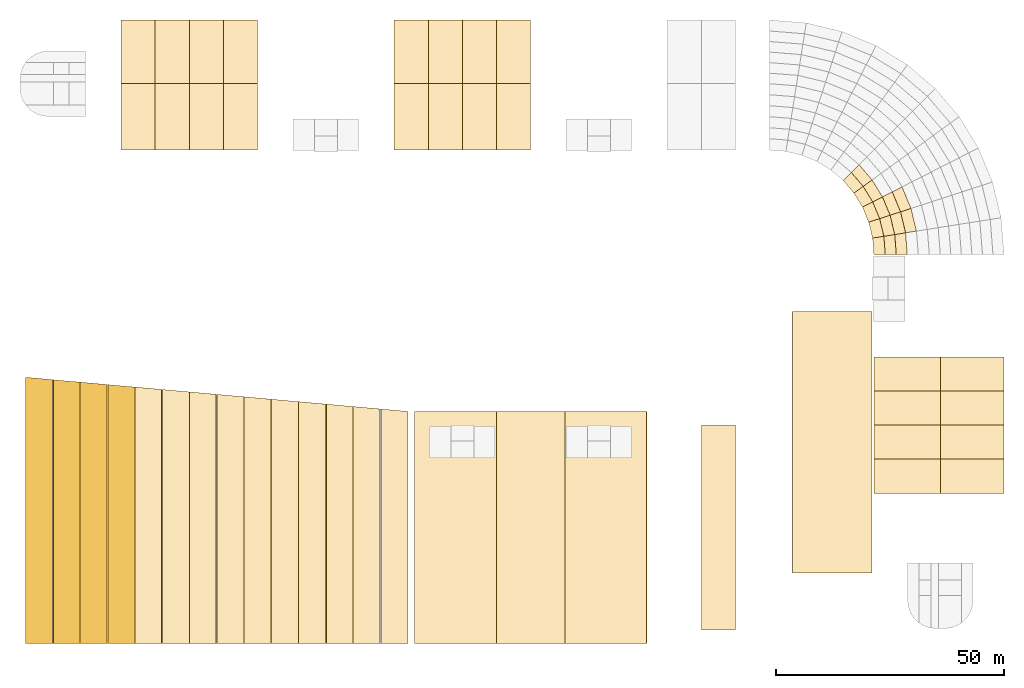
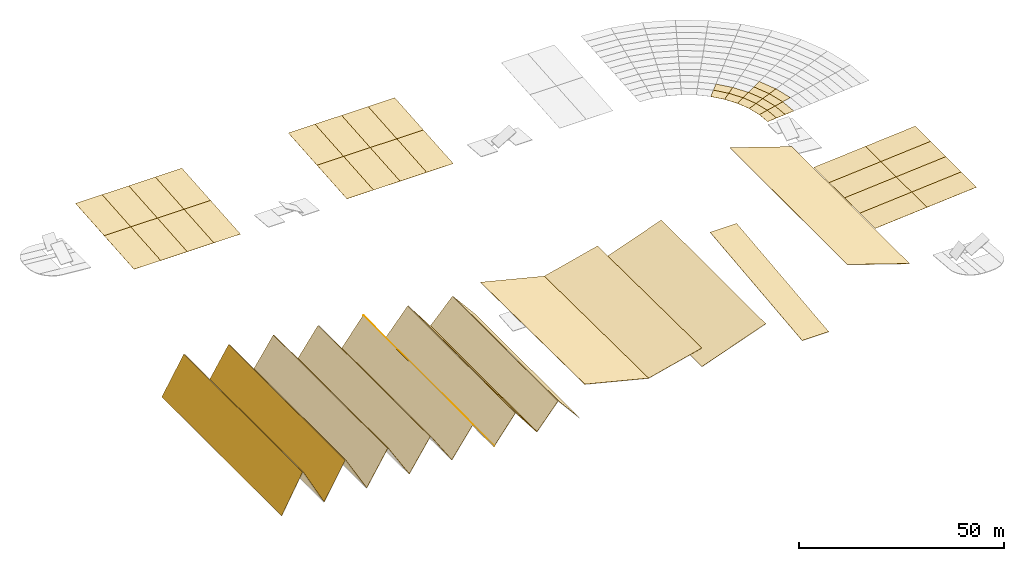
# One storey, part 3 of 6: 58 coverings.
"""IFC4 building model written with IfcOpenShell, lengths in metres."""

import ifcopenshell
import ifcopenshell.guid

model = None  # the IFC model being written
_history = None  # IfcOwnerHistory: only IFC2X3 demands one
_inside = {}  # id of a spatial element -> (the spatial element, [elements in it])
_under = {}  # id of a project, library or spatial element -> (it, [spatial elements below it])
_declared = {}  # id of a project -> (the project, [libraries it declares])
_typed = {}  # id of a type object -> (the type object, [elements of that type])
_made_of = {}  # id of a material, layer set ... -> (it, [elements and type objects made of it])


def new_model(schema):
    """Start an empty IFC model of exactly this schema.

    Asked for "IFC4X3", IfcOpenShell would pick the latest addendum, in which some entities
    have other attributes; the version numbers below select the first issue.
    IFC2X3 requires an IfcOwnerHistory on every rooted entity: one is made here for all.
    """
    global model, _history
    if schema == "IFC4X3":
        model = ifcopenshell.file(schema_version=(4, 3, 0, 0))
    else:
        model = ifcopenshell.file(schema=schema)
    _inside.clear()
    _under.clear()
    _declared.clear()
    _typed.clear()
    _made_of.clear()
    _history = None
    if model.schema == "IFC2X3":
        org = make("IfcOrganization", Name="unknown")
        user = make(
            "IfcPersonAndOrganization",
            ThePerson=make("IfcPerson", FamilyName="unknown"),
            TheOrganization=org,
        )
        app = make(
            "IfcApplication",
            ApplicationDeveloper=org,
            Version="unknown",
            ApplicationFullName="unknown",
            ApplicationIdentifier="unknown",
        )
        _history = make(
            "IfcOwnerHistory",
            OwningUser=user,
            OwningApplication=app,
            ChangeAction="ADDED",
            CreationDate=0,
        )
    return model


def make(cls, **values):
    """One entity of the class cls with the attributes given. An attribute that is None is left unset."""
    return model.create_entity(
        cls, **{name: value for name, value in values.items() if value is not None}
    )


def rooted(cls, **values):
    """An entity with a GlobalId (a new one), such as an element, a storey or a relation."""
    return make(cls, GlobalId=ifcopenshell.guid.new(), OwnerHistory=_history, **values)


def si_unit(unit_type, name, prefix=None):
    """IfcSIUnit, for example si_unit("LENGTHUNIT", "METRE", prefix="MILLI")."""
    return make("IfcSIUnit", UnitType=unit_type, Prefix=prefix, Name=name)


def assignment(units):
    """IfcUnitAssignment: the units of a project."""
    return None if units is None else make("IfcUnitAssignment", Units=units)


def point(xyz):
    """IfcCartesianPoint."""
    return None if xyz is None else make("IfcCartesianPoint", Coordinates=xyz)


def direction(xyz):
    """IfcDirection."""
    return None if xyz is None else make("IfcDirection", DirectionRatios=xyz)


def frame(location, z_axis=None, x_axis=None):
    """IfcAxis2Placement3D, a coordinate frame: its origin and axes. An axis left out is left unset."""
    return make(
        "IfcAxis2Placement3D",
        Location=point(location),
        Axis=direction(z_axis),
        RefDirection=direction(x_axis),
    )


def origin():
    """The frame at (0, 0, 0) with its axes left unset."""
    return frame((0.0, 0.0, 0.0))


def place(relative_to, where):
    """IfcLocalPlacement: puts the frame where relative to a parent placement (None: the world)."""
    return make(
        "IfcLocalPlacement", PlacementRelTo=relative_to, RelativePlacement=where
    )


def context(
    kind, dimensions, precision=None, world=None, true_north=None, identifier=None
):
    """IfcGeometricRepresentationContext, for example the 3D "Model" context."""
    return make(
        "IfcGeometricRepresentationContext",
        ContextIdentifier=identifier,
        ContextType=kind,
        CoordinateSpaceDimension=dimensions,
        Precision=precision,
        WorldCoordinateSystem=world,
        TrueNorth=true_north,
    )


def subcontext(parent, identifier, kind, view, scale=None):
    """IfcGeometricRepresentationSubContext, for example "Body" below "Model"."""
    return make(
        "IfcGeometricRepresentationSubContext",
        ContextIdentifier=identifier,
        ContextType=kind,
        ParentContext=parent,
        TargetScale=scale,
        TargetView=view,
    )


def project(units=None, contexts=None):
    """IfcProject with its units and contexts."""
    return rooted(
        "IfcProject",
        Name="project",
        RepresentationContexts=contexts,
        UnitsInContext=assignment(units),
    )


def spatial(cls, under=None, at=None, **own):
    """A site, building, storey or space (cls), placed at a placement, below another one or the project."""
    s = rooted(cls, ObjectPlacement=at, **own)
    if under is not None:
        _under.setdefault(under.id(), (under, []))[1].append(s)
    return s


def polyline(points):
    """IfcPolyline through the points."""
    return make("IfcPolyline", Points=[point(p) for p in points])


def outline(outer, holes=None, kind="AREA"):
    """IfcArbitraryClosedProfileDef: a profile drawn as a closed curve; with holes, ...WithVoids."""
    if holes is None:
        return make("IfcArbitraryClosedProfileDef", ProfileType=kind, OuterCurve=outer)
    return make(
        "IfcArbitraryProfileDefWithVoids",
        ProfileType=kind,
        OuterCurve=outer,
        InnerCurves=holes,
    )


def extrude(swept, where, along, depth):
    """IfcExtrudedAreaSolid: the profile swept, set in the frame where, extruded along a direction by depth."""
    return make(
        "IfcExtrudedAreaSolid",
        SweptArea=swept,
        Position=where,
        ExtrudedDirection=direction(along),
        Depth=depth,
    )


def shape(context_of_items, identifier, shape_type, items):
    """IfcShapeRepresentation: the items that make up one representation, for example the "Body"."""
    return make(
        "IfcShapeRepresentation",
        ContextOfItems=context_of_items,
        RepresentationIdentifier=identifier,
        RepresentationType=shape_type,
        Items=items,
    )


def material(Name=None, Category=None):
    """IfcMaterial."""
    return make("IfcMaterial", Name=Name, Category=Category)


def layer(
    of_material, thickness, ventilated=None, Name=None, Category=None, Priority=None
):
    """IfcMaterialLayer: one layer of a wall or slab, of a material (None: an air gap)."""
    return make(
        "IfcMaterialLayer",
        Material=of_material,
        LayerThickness=thickness,
        IsVentilated=ventilated,
        Name=Name,
        Category=Category,
        Priority=Priority,
    )


def layer_set(layers, Name=None):
    """IfcMaterialLayerSet."""
    return make("IfcMaterialLayerSet", MaterialLayers=layers, LayerSetName=Name)


def made_of(thing, what):
    """Note that an element or type object is made of a material, layer set ...; save() writes the relation."""
    if what is not None:
        _made_of.setdefault(what.id(), (what, []))[1].append(thing)
    return thing


def type_object(cls, material=None, **own):
    """A type object (cls), such as IfcWallType, which elements share."""
    return made_of(rooted(cls, **own), material)


def element(
    cls,
    number,
    at=None,
    inside=None,
    cuts=None,
    type_object=None,
    material=None,
    context=None,
    identifier="Body",
    shape_type=None,
    held_by="IfcProductDefinitionShape",
    body=None,
    shapes=None,
    **own,
):
    """One element of the class cls, such as IfcWall. Its Tag is "e" and its number.

    at: its placement. inside: the storey or other place that contains it. cuts: it is an
    opening in that element (IfcRelVoidsElement). A single representation is given by context,
    identifier, shape_type and body (its items); several are given by shapes. held_by: the class
    of the entity that holds the representations. save() writes the other relations.
    """
    e = rooted(cls, Tag="e%d" % number, ObjectPlacement=at, **own)
    if body is not None:
        shapes = [shape(context, identifier, shape_type, body)]
    if shapes is not None:
        e.Representation = make(held_by, Representations=shapes)
    if inside is not None:
        _inside.setdefault(inside.id(), (inside, []))[1].append(e)
    if cuts is not None:
        rooted(
            "IfcRelVoidsElement", RelatingBuildingElement=cuts, RelatedOpeningElement=e
        )
    if type_object is not None:
        _typed.setdefault(type_object.id(), (type_object, []))[1].append(e)
    return made_of(e, material)


def aggregate(whole, parts):
    """IfcRelAggregates: a whole, such as a stair, and the parts it consists of."""
    return rooted("IfcRelAggregates", RelatingObject=whole, RelatedObjects=parts)


def save(model, path):
    """Write the relations noted so far, then the file.

    IfcRelAggregates (storeys below a building ...), IfcRelContainedInSpatialStructure (elements
    in a storey), IfcRelDefinesByType, IfcRelAssociatesMaterial and IfcRelDeclares: one each for
    every whole, place, type object, material and project.
    """
    for whole, parts in _under.values():
        aggregate(whole, parts)
    for where, things in _inside.values():
        rooted(
            "IfcRelContainedInSpatialStructure",
            RelatedElements=things,
            RelatingStructure=where,
        )
    for kind, things in _typed.values():
        rooted("IfcRelDefinesByType", RelatedObjects=things, RelatingType=kind)
    for what, things in _made_of.values():
        rooted("IfcRelAssociatesMaterial", RelatedObjects=things, RelatingMaterial=what)
    for by, libraries in _declared.values():
        rooted("IfcRelDeclares", RelatingContext=by, RelatedDefinitions=libraries)
    model.write(path)


model = new_model("IFC4")

# Units and contexts
model_context = context("Model", 3, precision=1e-05, world=origin(), true_north=direction((0.0, 1.0)))
body_context = subcontext(model_context, "Body", "Model", "MODEL_VIEW")
ifc_project = project(units=[si_unit("LENGTHUNIT", "METRE"), si_unit("AREAUNIT", "SQUARE_METRE"), si_unit("VOLUMEUNIT", "CUBIC_METRE"), si_unit("PLANEANGLEUNIT", "RADIAN"), si_unit("MASSUNIT", "GRAM", prefix="KILO")], contexts=[model_context])

# Site, building, storey
site_placement = place(None, origin())
site = spatial("IfcSite", under=ifc_project, at=site_placement, CompositionType="ELEMENT")
building_placement = place(site_placement, origin())
building = spatial("IfcBuilding", under=site, at=building_placement, Name="Parallax Yard Mobility Hub", CompositionType="ELEMENT")
storey_placement = place(building_placement, frame((0.0, 0.0, 26.5)))
storey = spatial("IfcBuildingStorey", under=building, at=storey_placement, Name="ROOF", CompositionType="ELEMENT", Elevation=26.5)

# Coverings
ifc_material = material(Name="Aluminium-zinc coated standing seam sheeting", Category="aluminium")
ifc_layer_1 = layer(ifc_material, 0.0400390625)
ifc_layer_set_1 = layer_set([ifc_layer_1], Name="Canopy roof sheeting 40")
covering_type_1 = type_object("IfcCoveringType", Name="Canopy roof sheeting 40", PredefinedType="ROOFING", material=ifc_layer_set_1)
placement = place(building_placement, frame((0.0, 0.0, 13.199951171875)))
covering_1_placement = place(placement, frame((188.692626953125, 106.192626953125, 4.4658203125), z_axis=(-0.060774124677, -0.051905709109, 0.996801034877), x_axis=(0.649492099741, -0.760368339918, 4.871563e-06)))
element("IfcCovering", 1, at=covering_1_placement, inside=storey, type_object=covering_type_1, Name="Canopy roof sheeting sector R5-R6 bay 1", PredefinedType="ROOFING", context=body_context, shape_type="SweptSolid", body=[
    extrude(outline(polyline([(0.0, 0.0), (3.593551497531964, 0.0), (3.791072704159837, 2.5168378899657604), (-0.19733490642580945, 2.517300034263729), (0.0, 0.0)])), origin(), (0.0, 0.0, -1.0), 0.0400390625),
])
covering_2_placement = place(placement, frame((190.472412109375, 107.972412109375, 4.6669921875), z_axis=(-0.060835516501, -0.051955391734, 0.996794701632), x_axis=(0.649404145232, -0.760443460193, -2.308673e-06)))
element("IfcCovering", 2, at=covering_2_placement, inside=storey, type_object=covering_type_1, Name="Canopy roof sheeting sector R5-R6 bay 2", PredefinedType="ROOFING", context=body_context, shape_type="SweptSolid", body=[
    extrude(outline(polyline([(0.0, 0.0), (3.9884076373883808, 4.440892098500626e-16), (4.177715760359001, 2.4170517968126624), (-0.18973779147437983, 2.416810666031856), (0.0, 0.0)])), origin(), (0.0, 0.0, -1.0), 0.0400390625),
])
covering_3_placement = place(placement, frame((191.026611328125, 103.460205078125, 4.4658203125), z_axis=(-0.068150626772, -0.041763428885, 0.996800535753), x_axis=(0.522496783312, -0.852641255997, -7.41562e-07)))
element("IfcCovering", 3, at=covering_3_placement, inside=storey, type_object=covering_type_1, Name="Canopy roof sheeting sector R6-R7 bay 1", PredefinedType="ROOFING", context=body_context, shape_type="SweptSolid", body=[
    extrude(outline(polyline([(0.0, 0.0), (3.5932117639587537, 2.220446049250313e-16), (3.7908738505946347, 2.51690810669059), (-0.19752277956474096, 2.51683776658118), (0.0, 0.0)])), origin(), (0.0, 0.0, -1.0), 0.0400390625),
])
covering_4_placement = place(placement, frame((193.0625, 104.939453125, 4.6669921875), z_axis=(-0.068209803425, -0.041800504556, 0.996794934044), x_axis=(0.522511819581, -0.852632041621, -2.1107e-08)))
element("IfcCovering", 4, at=covering_4_placement, inside=storey, type_object=covering_type_1, Name="Canopy roof sheeting sector R6-R7 bay 2", PredefinedType="ROOFING", context=body_context, shape_type="SweptSolid", body=[
    extrude(outline(polyline([(0.0, 0.0), (3.988396630780536, 0.0), (4.178051376128839, 2.4170198272549097), (-0.18974394914561754, 2.4170176225559317), (0.0, 0.0)])), origin(), (0.0, 0.0, -1.0), 0.0400390625),
])
covering_5_placement = place(placement, frame((192.904052734375, 100.396484375, 4.4658203125), z_axis=(-0.073844600327, -0.030586916813, 0.996800589648), x_axis=(0.382689721407, -0.923876927479, 1.026083e-06)))
element("IfcCovering", 5, at=covering_5_placement, inside=storey, type_object=covering_type_1, Name="Canopy roof sheeting sector R7-R8 bay 1", PredefinedType="ROOFING", context=body_context, shape_type="SweptSolid", body=[
    extrude(outline(polyline([(0.0, 0.0), (3.5936263519226257, 0.0), (3.7909008376405815, 2.516845434901329), (-0.1972202653943363, 2.5169427655251346), (0.0, 0.0)])), origin(), (0.0, 0.0, -1.0), 0.0400390625),
])
covering_6_placement = place(placement, frame((195.146484375, 101.538818359375, 4.6669921875), z_axis=(-0.073907353258, -0.030613384535, 0.996795126303), x_axis=(0.382667278647, -0.923886223434, -1.362849e-06)))
element("IfcCovering", 6, at=covering_6_placement, inside=storey, type_object=covering_type_1, Name="Canopy roof sheeting sector R7-R8 bay 2", PredefinedType="ROOFING", context=body_context, shape_type="SweptSolid", body=[
    extrude(outline(polyline([(0.0, 0.0), (3.9881211042205886, 0.0), (4.177731307249095, 2.417162278995943), (-0.18965341060007765, 2.4170199319812222), (0.0, 0.0)])), origin(), (0.0, 0.0, -1.0), 0.0400390625),
])
covering_7_placement = place(placement, frame((197.2998046875, 102.635986328125, 4.8603515625), z_axis=(-0.073913312683, -0.030618443513, 0.996794529041), x_axis=(0.382697471223, -0.9238737173, -1.14103e-06)))
element("IfcCovering", 7, at=covering_7_placement, inside=storey, type_object=covering_type_1, Name="Canopy roof sheeting sector R7-R8 bay 3", PredefinedType="ROOFING", context=body_context, shape_type="SweptSolid", body=[
    extrude(outline(polyline([(0.0, 0.0), (4.367384720169487, 2.220446049250313e-16), (4.556980274168208, 2.4169312654987856), (-0.18966806409297202, 2.4168012799743237), (0.0, 0.0)])), origin(), (0.0, 0.0, -1.0), 0.0400390625),
])
covering_8_placement = place(placement, frame((199.452880859375, 103.733154296875, 5.0537109375), z_axis=(-0.07391151303, -0.030617092496, 0.996794703983), x_axis=(0.382722648641, -0.923863287621, 1.607453e-06)))
element("IfcCovering", 8, at=covering_8_placement, inside=storey, type_object=covering_type_1, Name="Canopy roof sheeting sector R7-R8 bay 4", PredefinedType="ROOFING", context=body_context, shape_type="SweptSolid", body=[
    extrude(outline(polyline([(0.0, 0.0), (4.7466483400374475, -4.440892098500626e-16), (4.936535633460537, 2.4168329339018038), (-0.18950844249417012, 2.4170313026399413), (0.0, 0.0)])), origin(), (0.0, 0.0, -1.0), 0.0400390625),
])
covering_9_placement = place(placement, frame((194.279296875, 97.076416015625, 4.4658203125), z_axis=(-0.07772105804, -0.018660054667, 0.996800501353), x_axis=(0.233444970765, -0.97237001477, -8.90359e-07)))
element("IfcCovering", 9, at=covering_9_placement, inside=storey, type_object=covering_type_1, Name="Canopy roof sheeting sector R8-R9 bay 1", PredefinedType="ROOFING", context=body_context, shape_type="SweptSolid", body=[
    extrude(outline(polyline([(0.0, 0.0), (3.593426897201229, 0.0), (3.7907583620144374, 2.5169016533630146), (-0.19763441218442823, 2.516817197379032), (0.0, 0.0)])), origin(), (0.0, 0.0, -1.0), 0.0400390625),
])
covering_10_placement = place(placement, frame((196.672607421875, 97.854248046875, 4.6669921875), z_axis=(-0.07778701015, -0.018674865872, 0.99679507946), x_axis=(0.233465417698, -0.972365105676, 1.79464e-06)))
element("IfcCovering", 10, at=covering_10_placement, inside=storey, type_object=covering_type_1, Name="Canopy roof sheeting sector R8-R9 bay 2", PredefinedType="ROOFING", context=body_context, shape_type="SweptSolid", body=[
    extrude(outline(polyline([(0.0, 0.0), (3.9883927750878896, 2.220446049250313e-16), (4.178180769864975, 2.416979738186075), (-0.1895474924989849, 2.417167197394275), (0.0, 0.0)])), origin(), (0.0, 0.0, -1.0), 0.0400390625),
])
covering_11_placement = place(placement, frame((198.97119140625, 98.60107421875, 4.8603515625), z_axis=(-0.077790036337, -0.018675008724, 0.996794840625), x_axis=(0.233423774008, -0.972375103408, -1.073116e-06)))
element("IfcCovering", 11, at=covering_11_placement, inside=storey, type_object=covering_type_1, Name="Canopy roof sheeting sector R8-R9 bay 3", PredefinedType="ROOFING", context=body_context, shape_type="SweptSolid", body=[
    extrude(outline(polyline([(0.0, 0.0), (4.3677282663901265, 0.0), (4.557175130009769, 2.4170446870594957), (-0.18970822332132534, 2.4169224245409264), (0.0, 0.0)])), origin(), (0.0, 0.0, -1.0), 0.0400390625),
])
covering_12_placement = place(placement, frame((201.26953125, 99.347900390625, 5.0537109375), z_axis=(-0.077795677463, -0.018676343911, 0.996794375358), x_axis=(0.233448737064, -0.972369110555, 1.005961e-06)))
element("IfcCovering", 12, at=covering_12_placement, inside=storey, type_object=covering_type_1, Name="Canopy roof sheeting sector R8-R9 bay 4", PredefinedType="ROOFING", context=body_context, shape_type="SweptSolid", body=[
    extrude(outline(polyline([(0.0, 0.0), (4.746883354905525, -2.220446049250313e-16), (4.936572873244715, 2.4167463612893054), (-0.1894085773043048, 2.4168704982839175), (0.0, 0.0)])), origin(), (0.0, 0.0, -1.0), 0.0400390625),
])
covering_13_placement = place(placement, frame((195.1181640625, 93.582275390625, 4.4658203125), z_axis=(-0.079678632242, -0.006269490234, 0.996800887367), x_axis=(0.07840597491, -0.996921513004, -2.918185e-06)))
element("IfcCovering", 13, at=covering_13_placement, inside=storey, type_object=covering_type_1, Name="Canopy roof sheeting sector R9-R10 bay 1", PredefinedType="ROOFING", context=body_context, shape_type="SweptSolid", body=[
    extrude(outline(polyline([(0.0, 0.0), (3.593337367029227, -5.551115123125783e-17), (3.7906725210247414, 2.5171494301127004), (-0.1977015562739434, 2.516872609857976), (0.0, 0.0)])), origin(), (0.0, 0.0, -1.0), 0.0400390625),
])
covering_14_placement = place(placement, frame((197.603759765625, 93.97607421875, 4.6669921875), z_axis=(-0.079756393413, -0.006276257805, 0.996794625937), x_axis=(0.078474997679, -0.996916082093, 1.986815e-06)))
element("IfcCovering", 14, at=covering_14_placement, inside=storey, type_object=covering_type_1, Name="Canopy roof sheeting sector R9-R10 bay 2", PredefinedType="ROOFING", context=body_context, shape_type="SweptSolid", body=[
    extrude(outline(polyline([(0.0, 0.0), (3.9883740869112385, 0.0), (4.178009609515898, 2.4167989873643108), (-0.18944689189701783, 2.4170064983161414), (0.0, 0.0)])), origin(), (0.0, 0.0, -1.0), 0.0400390625),
])
covering_15_placement = place(placement, frame((199.99072265625, 94.35400390625, 4.8603515625), z_axis=(-0.079752195012, -0.006274402209, 0.996794973537), x_axis=(0.078427661667, -0.996919807149, -2.98629e-07)))
element("IfcCovering", 15, at=covering_15_placement, inside=storey, type_object=covering_type_1, Name="Canopy roof sheeting sector R9-R10 bay 3", PredefinedType="ROOFING", context=body_context, shape_type="SweptSolid", body=[
    extrude(outline(polyline([(0.0, 0.0), (4.367456506349689, 5.551115123125783e-17), (4.556996346762139, 2.417050603290968), (-0.18980511954767632, 2.4170165804130814), (0.0, 0.0)])), origin(), (0.0, 0.0, -1.0), 0.0400390625),
])
covering_16_placement = place(placement, frame((30.0, 112.89990234375, 4.4658203125), z_axis=(0.0, -0.079742572267, 0.996815490534), x_axis=(1.0, 0.0, 0.0)))
element("IfcCovering", 16, at=covering_16_placement, inside=storey, type_object=covering_type_1, Name="Canopy roof sheeting sector N-A bay 1 inner half", PredefinedType="ROOFING", context=body_context, shape_type="SweptSolid", body=[
    extrude(outline(polyline([(0.0, 0.0), (7.5, 0.0), (7.5, 14.646740339509446), (0.0, 14.646740339509446), (0.0, 0.0)])), origin(), (0.0, 0.0, -1.0), 0.0400390625),
])
covering_17_placement = place(placement, frame((30.0, 127.5, 5.6337890625), z_axis=(0.0, -0.079736240555, 0.996815997034), x_axis=(1.0, 0.0, 0.0)))
element("IfcCovering", 17, at=covering_17_placement, inside=storey, type_object=covering_type_1, Name="Canopy roof sheeting sector N-A bay 1 outer half", PredefinedType="ROOFING", context=body_context, shape_type="SweptSolid", body=[
    extrude(outline(polyline([(0.0, 0.0), (7.5, 0.0), (7.5, 14.044718425127542), (0.0, 14.044718425127542), (0.0, 0.0)])), origin(), (0.0, 0.0, -1.0), 0.0400390625),
])
covering_18_placement = place(placement, frame((37.5, 112.89990234375, 4.4658203125), z_axis=(0.0, -0.079742572267, 0.996815490534), x_axis=(1.0, 0.0, 0.0)))
element("IfcCovering", 18, at=covering_18_placement, inside=storey, type_object=covering_type_1, Name="Canopy roof sheeting sector N-A bay 2 inner half", PredefinedType="ROOFING", context=body_context, shape_type="SweptSolid", body=[
    extrude(outline(polyline([(0.0, 0.0), (7.5, 0.0), (7.5, 14.646740339509446), (0.0, 14.646740339509446), (0.0, 0.0)])), origin(), (0.0, 0.0, -1.0), 0.0400390625),
])
covering_19_placement = place(placement, frame((37.5, 127.5, 5.6337890625), z_axis=(0.0, -0.079736240555, 0.996815997034), x_axis=(1.0, 0.0, 0.0)))
element("IfcCovering", 19, at=covering_19_placement, inside=storey, type_object=covering_type_1, Name="Canopy roof sheeting sector N-A bay 2 outer half", PredefinedType="ROOFING", context=body_context, shape_type="SweptSolid", body=[
    extrude(outline(polyline([(0.0, 0.0), (7.5, 0.0), (7.5, 14.044718425127542), (0.0, 14.044718425127542), (0.0, 0.0)])), origin(), (0.0, 0.0, -1.0), 0.0400390625),
])
covering_20_placement = place(placement, frame((45.0, 112.89990234375, 4.4658203125), z_axis=(0.0, -0.079742572267, 0.996815490534), x_axis=(1.0, 0.0, 0.0)))
element("IfcCovering", 20, at=covering_20_placement, inside=storey, type_object=covering_type_1, Name="Canopy roof sheeting sector N-A bay 3 inner half", PredefinedType="ROOFING", context=body_context, shape_type="SweptSolid", body=[
    extrude(outline(polyline([(0.0, 0.0), (7.5, 0.0), (7.5, 14.646740339509446), (0.0, 14.646740339509446), (0.0, 0.0)])), origin(), (0.0, 0.0, -1.0), 0.0400390625),
])
covering_21_placement = place(placement, frame((45.0, 127.5, 5.6337890625), z_axis=(0.0, -0.079736240555, 0.996815997034), x_axis=(1.0, 0.0, 0.0)))
element("IfcCovering", 21, at=covering_21_placement, inside=storey, type_object=covering_type_1, Name="Canopy roof sheeting sector N-A bay 3 outer half", PredefinedType="ROOFING", context=body_context, shape_type="SweptSolid", body=[
    extrude(outline(polyline([(0.0, 0.0), (7.5, 0.0), (7.5, 14.044718425127542), (0.0, 14.044718425127542), (0.0, 0.0)])), origin(), (0.0, 0.0, -1.0), 0.0400390625),
])
covering_22_placement = place(placement, frame((52.5, 112.89990234375, 4.4658203125), z_axis=(0.0, -0.079742572267, 0.996815490534), x_axis=(1.0, 0.0, 0.0)))
element("IfcCovering", 22, at=covering_22_placement, inside=storey, type_object=covering_type_1, Name="Canopy roof sheeting sector N-A bay 4 inner half", PredefinedType="ROOFING", context=body_context, shape_type="SweptSolid", body=[
    extrude(outline(polyline([(0.0, 0.0), (7.5, 0.0), (7.5, 14.646740339509446), (0.0, 14.646740339509446), (0.0, 0.0)])), origin(), (0.0, 0.0, -1.0), 0.0400390625),
])
covering_23_placement = place(placement, frame((52.5, 127.5, 5.6337890625), z_axis=(0.0, -0.079736240555, 0.996815997034), x_axis=(1.0, 0.0, 0.0)))
element("IfcCovering", 23, at=covering_23_placement, inside=storey, type_object=covering_type_1, Name="Canopy roof sheeting sector N-A bay 4 outer half", PredefinedType="ROOFING", context=body_context, shape_type="SweptSolid", body=[
    extrude(outline(polyline([(0.0, 0.0), (7.5, 0.0), (7.5, 14.044718425127542), (0.0, 14.044718425127542), (0.0, 0.0)])), origin(), (0.0, 0.0, -1.0), 0.0400390625),
])
covering_24_placement = place(placement, frame((90.0, 112.89990234375, 4.4658203125), z_axis=(0.0, -0.079742572267, 0.996815490534), x_axis=(1.0, 0.0, 0.0)))
element("IfcCovering", 24, at=covering_24_placement, inside=storey, type_object=covering_type_1, Name="Canopy roof sheeting sector N-B bay 1 inner half", PredefinedType="ROOFING", context=body_context, shape_type="SweptSolid", body=[
    extrude(outline(polyline([(0.0, 0.0), (7.5, 0.0), (7.5, 14.646740339509446), (0.0, 14.646740339509446), (0.0, 0.0)])), origin(), (0.0, 0.0, -1.0), 0.0400390625),
])
covering_25_placement = place(placement, frame((90.0, 127.5, 5.6337890625), z_axis=(0.0, -0.079736240555, 0.996815997034), x_axis=(1.0, 0.0, 0.0)))
element("IfcCovering", 25, at=covering_25_placement, inside=storey, type_object=covering_type_1, Name="Canopy roof sheeting sector N-B bay 1 outer half", PredefinedType="ROOFING", context=body_context, shape_type="SweptSolid", body=[
    extrude(outline(polyline([(0.0, 0.0), (7.5, 0.0), (7.5, 14.044718425127542), (0.0, 14.044718425127542), (0.0, 0.0)])), origin(), (0.0, 0.0, -1.0), 0.0400390625),
])
covering_26_placement = place(placement, frame((97.5, 112.89990234375, 4.4658203125), z_axis=(0.0, -0.079742572267, 0.996815490534), x_axis=(1.0, 0.0, 0.0)))
element("IfcCovering", 26, at=covering_26_placement, inside=storey, type_object=covering_type_1, Name="Canopy roof sheeting sector N-B bay 2 inner half", PredefinedType="ROOFING", context=body_context, shape_type="SweptSolid", body=[
    extrude(outline(polyline([(0.0, 0.0), (7.5, 0.0), (7.5, 14.646740339509446), (0.0, 14.646740339509446), (0.0, 0.0)])), origin(), (0.0, 0.0, -1.0), 0.0400390625),
])
covering_27_placement = place(placement, frame((97.5, 127.5, 5.6337890625), z_axis=(0.0, -0.079736240555, 0.996815997034), x_axis=(1.0, 0.0, 0.0)))
element("IfcCovering", 27, at=covering_27_placement, inside=storey, type_object=covering_type_1, Name="Canopy roof sheeting sector N-B bay 2 outer half", PredefinedType="ROOFING", context=body_context, shape_type="SweptSolid", body=[
    extrude(outline(polyline([(0.0, 0.0), (7.5, 0.0), (7.5, 14.044718425127542), (0.0, 14.044718425127542), (0.0, 0.0)])), origin(), (0.0, 0.0, -1.0), 0.0400390625),
])
covering_28_placement = place(placement, frame((105.0, 112.89990234375, 4.4658203125), z_axis=(0.0, -0.079742572267, 0.996815490534), x_axis=(1.0, 0.0, 0.0)))
element("IfcCovering", 28, at=covering_28_placement, inside=storey, type_object=covering_type_1, Name="Canopy roof sheeting sector N-B bay 3 inner half", PredefinedType="ROOFING", context=body_context, shape_type="SweptSolid", body=[
    extrude(outline(polyline([(0.0, 0.0), (7.5, 0.0), (7.5, 14.646740339509446), (0.0, 14.646740339509446), (0.0, 0.0)])), origin(), (0.0, 0.0, -1.0), 0.0400390625),
])
covering_29_placement = place(placement, frame((105.0, 127.5, 5.6337890625), z_axis=(0.0, -0.079736240555, 0.996815997034), x_axis=(1.0, 0.0, 0.0)))
element("IfcCovering", 29, at=covering_29_placement, inside=storey, type_object=covering_type_1, Name="Canopy roof sheeting sector N-B bay 3 outer half", PredefinedType="ROOFING", context=body_context, shape_type="SweptSolid", body=[
    extrude(outline(polyline([(0.0, 0.0), (7.5, 0.0), (7.5, 14.044718425127542), (0.0, 14.044718425127542), (0.0, 0.0)])), origin(), (0.0, 0.0, -1.0), 0.0400390625),
])
covering_30_placement = place(placement, frame((112.5, 112.89990234375, 4.4658203125), z_axis=(0.0, -0.079742572267, 0.996815490534), x_axis=(1.0, 0.0, 0.0)))
element("IfcCovering", 30, at=covering_30_placement, inside=storey, type_object=covering_type_1, Name="Canopy roof sheeting sector N-B bay 4 inner half", PredefinedType="ROOFING", context=body_context, shape_type="SweptSolid", body=[
    extrude(outline(polyline([(0.0, 0.0), (7.5, 0.0), (7.5, 14.646740339509446), (0.0, 14.646740339509446), (0.0, 0.0)])), origin(), (0.0, 0.0, -1.0), 0.0400390625),
])
covering_31_placement = place(placement, frame((112.5, 127.5, 5.6337890625), z_axis=(0.0, -0.079736240555, 0.996815997034), x_axis=(1.0, 0.0, 0.0)))
element("IfcCovering", 31, at=covering_31_placement, inside=storey, type_object=covering_type_1, Name="Canopy roof sheeting sector N-B bay 4 outer half", PredefinedType="ROOFING", context=body_context, shape_type="SweptSolid", body=[
    extrude(outline(polyline([(0.0, 0.0), (7.5, 0.0), (7.5, 14.044718425127542), (0.0, 14.044718425127542), (0.0, 0.0)])), origin(), (0.0, 0.0, -1.0), 0.0400390625),
])
covering_32_placement = place(placement, frame((195.39990234375, 37.5, 4.4658203125), z_axis=(-0.079742572267, 0.0, 0.996815490534), x_axis=(0.0, 1.0, 0.0)))
element("IfcCovering", 32, at=covering_32_placement, inside=storey, type_object=covering_type_1, Name="Canopy roof sheeting sector E-A bay 1 inner half", PredefinedType="ROOFING", context=body_context, shape_type="SweptSolid", body=[
    extrude(outline(polyline([(0.0, 0.0), (7.5, 0.0), (7.5, -14.646740339509446), (0.0, -14.646740339509446), (0.0, 0.0)])), origin(), (0.0, 0.0, -1.0), 0.0400390625),
])
covering_33_placement = place(placement, frame((210.0, 37.5, 5.6337890625), z_axis=(-0.079736240555, 0.0, 0.996815997034), x_axis=(0.0, 1.0, 0.0)))
element("IfcCovering", 33, at=covering_33_placement, inside=storey, type_object=covering_type_1, Name="Canopy roof sheeting sector E-A bay 1 outer half", PredefinedType="ROOFING", context=body_context, shape_type="SweptSolid", body=[
    extrude(outline(polyline([(0.0, 0.0), (7.5, 0.0), (7.5, -14.044718425127542), (0.0, -14.044718425127542), (0.0, 0.0)])), origin(), (0.0, 0.0, -1.0), 0.0400390625),
])
covering_34_placement = place(placement, frame((195.39990234375, 45.0, 4.4658203125), z_axis=(-0.079742572267, 0.0, 0.996815490534), x_axis=(0.0, 1.0, 0.0)))
element("IfcCovering", 34, at=covering_34_placement, inside=storey, type_object=covering_type_1, Name="Canopy roof sheeting sector E-A bay 2 inner half", PredefinedType="ROOFING", context=body_context, shape_type="SweptSolid", body=[
    extrude(outline(polyline([(0.0, 0.0), (7.5, 0.0), (7.5, -14.646740339509446), (0.0, -14.646740339509446), (0.0, 0.0)])), origin(), (0.0, 0.0, -1.0), 0.0400390625),
])
covering_35_placement = place(placement, frame((210.0, 45.0, 5.6337890625), z_axis=(-0.079736240555, 0.0, 0.996815997034), x_axis=(0.0, 1.0, 0.0)))
element("IfcCovering", 35, at=covering_35_placement, inside=storey, type_object=covering_type_1, Name="Canopy roof sheeting sector E-A bay 2 outer half", PredefinedType="ROOFING", context=body_context, shape_type="SweptSolid", body=[
    extrude(outline(polyline([(0.0, 0.0), (7.5, 0.0), (7.5, -14.044718425127542), (0.0, -14.044718425127542), (0.0, 0.0)])), origin(), (0.0, 0.0, -1.0), 0.0400390625),
])
covering_36_placement = place(placement, frame((195.39990234375, 52.5, 4.4658203125), z_axis=(-0.079742572267, 0.0, 0.996815490534), x_axis=(0.0, 1.0, 0.0)))
element("IfcCovering", 36, at=covering_36_placement, inside=storey, type_object=covering_type_1, Name="Canopy roof sheeting sector E-A bay 3 inner half", PredefinedType="ROOFING", context=body_context, shape_type="SweptSolid", body=[
    extrude(outline(polyline([(0.0, 0.0), (7.5, 0.0), (7.5, -14.646740339509446), (0.0, -14.646740339509446), (0.0, 0.0)])), origin(), (0.0, 0.0, -1.0), 0.0400390625),
])
covering_37_placement = place(placement, frame((210.0, 52.5, 5.6337890625), z_axis=(-0.079736240555, 0.0, 0.996815997034), x_axis=(0.0, 1.0, 0.0)))
element("IfcCovering", 37, at=covering_37_placement, inside=storey, type_object=covering_type_1, Name="Canopy roof sheeting sector E-A bay 3 outer half", PredefinedType="ROOFING", context=body_context, shape_type="SweptSolid", body=[
    extrude(outline(polyline([(0.0, 0.0), (7.5, 0.0), (7.5, -14.044718425127542), (0.0, -14.044718425127542), (0.0, 0.0)])), origin(), (0.0, 0.0, -1.0), 0.0400390625),
])
covering_38_placement = place(placement, frame((195.39990234375, 60.0, 4.4658203125), z_axis=(-0.079742572267, 0.0, 0.996815490534), x_axis=(0.0, 1.0, 0.0)))
element("IfcCovering", 38, at=covering_38_placement, inside=storey, type_object=covering_type_1, Name="Canopy roof sheeting sector E-A bay 4 inner half", PredefinedType="ROOFING", context=body_context, shape_type="SweptSolid", body=[
    extrude(outline(polyline([(0.0, 0.0), (7.5, 0.0), (7.5, -14.646740339509446), (0.0, -14.646740339509446), (0.0, 0.0)])), origin(), (0.0, 0.0, -1.0), 0.0400390625),
])
covering_39_placement = place(placement, frame((210.0, 60.0, 5.6337890625), z_axis=(-0.079736240555, 0.0, 0.996815997034), x_axis=(0.0, 1.0, 0.0)))
element("IfcCovering", 39, at=covering_39_placement, inside=storey, type_object=covering_type_1, Name="Canopy roof sheeting sector E-A bay 4 outer half", PredefinedType="ROOFING", context=body_context, shape_type="SweptSolid", body=[
    extrude(outline(polyline([(0.0, 0.0), (7.5, 0.0), (7.5, -14.044718425127542), (0.0, -14.044718425127542), (0.0, 0.0)])), origin(), (0.0, 0.0, -1.0), 0.0400390625),
])
ifc_layer_2 = layer(ifc_material, 0.0400390625)
ifc_layer_set_2 = layer_set([ifc_layer_2], Name="Standing seam roof sheeting 40")
covering_type_2 = type_object("IfcCoveringType", Name="Standing seam roof sheeting 40", PredefinedType="ROOFING", material=ifc_layer_set_2)
covering_40_placement = place(placement, frame((75.094482421875, 4.5, 11.628662109375), z_axis=(0.793728576606, 0.0, 0.608272099212), x_axis=(0.608272099212, 0.0, -0.793728576606)))
element("IfcCovering", 40, at=covering_40_placement, inside=storey, type_object=covering_type_2, Name="Roof sheeting on roof plate V1-P12-PL", PredefinedType="ROOFING", context=body_context, shape_type="SweptSolid", body=[
    extrude(outline(polyline([(0.0, 0.0), (9.70867739253314, 0.0), (9.70867739253314, 52.0712890625), (0.0, 52.5986328125), (0.0, 0.0)])), origin(), (0.0, 0.0, -1.0), 0.0400390625),
])
covering_41_placement = place(placement, frame((81.0, 4.5, 3.899658203125), z_axis=(-0.766460807991, 0.0, 0.642291078728), x_axis=(0.642291078728, 0.0, 0.766460807991)))
element("IfcCovering", 41, at=covering_41_placement, inside=storey, type_object=covering_type_2, Name="Roof sheeting on roof plate V1-P13-PL", PredefinedType="ROOFING", context=body_context, shape_type="SweptSolid", body=[
    extrude(outline(polyline([(0.0, 0.0), (9.199778328821708, 0.0), (9.199778328821708, 51.543701171875), (0.0, 52.0712890625), (0.0, 0.0)])), origin(), (0.0, 0.0, -1.0), 0.0400390625),
])
covering_42_placement = place(placement, frame((87.091064453125, 4.5, 10.950927734375), z_axis=(0.766460807991, 0.0, 0.642291078728), x_axis=(0.642291078728, 0.0, -0.766460807991)))
element("IfcCovering", 42, at=covering_42_placement, inside=storey, type_object=covering_type_2, Name="Roof sheeting on roof plate V1-P14-PL", PredefinedType="ROOFING", context=body_context, shape_type="SweptSolid", body=[
    extrude(outline(polyline([(0.0, 0.0), (9.199778328821708, 0.0), (9.199778328821708, 51.0), (0.0, 51.527587890625), (0.0, 0.0)])), origin(), (0.0, 0.0, -1.0), 0.0400390625),
])
covering_43_placement = place(placement, frame((63.097412109375, 4.5, 12.3115234375), z_axis=(0.81707292805, 0.0, 0.576534327033), x_axis=(0.576534327033, 0.0, -0.81707292805)))
element("IfcCovering", 43, at=covering_43_placement, inside=storey, type_object=covering_type_2, Name="Roof sheeting on roof plate V1-P10-PL", PredefinedType="ROOFING", context=body_context, shape_type="SweptSolid", body=[
    extrude(outline(polyline([(0.0, 0.0), (10.238051081882457, 0.0), (10.238051081882457, 53.142822265625), (0.0, 53.669921875), (0.0, 0.0)])), origin(), (0.0, 0.0, -1.0), 0.0400390625),
])
covering_44_placement = place(placement, frame((69.0, 4.5, 3.922607421875), z_axis=(-0.793728576606, 0.0, 0.608272099212), x_axis=(0.608272099212, 0.0, 0.793728576606)))
element("IfcCovering", 44, at=covering_44_placement, inside=storey, type_object=covering_type_2, Name="Roof sheeting on roof plate V1-P11-PL", PredefinedType="ROOFING", context=body_context, shape_type="SweptSolid", body=[
    extrude(outline(polyline([(0.0, 0.0), (9.70867739253314, 0.0), (9.70867739253314, 52.615478515625014), (0.0, 53.142822265625014), (0.0, 0.0)])), origin(), (0.0, 0.0, -1.0), 0.0400390625),
])
covering_45_placement = place(placement, frame((45.0, 4.5, 3.970458984375), z_axis=(-0.837008302788, 0.0, 0.547190187288), x_axis=(0.547190187288, 0.0, 0.837008302788)))
element("IfcCovering", 45, at=covering_45_placement, inside=storey, type_object=covering_type_2, Name="Roof sheeting on roof plate V1-P07-PL", PredefinedType="ROOFING", context=body_context, shape_type="SweptSolid", body=[
    extrude(outline(polyline([(0.0, 0.0), (10.782624801109844, 0.0), (10.782624801109844, 54.758789062500014), (0.0, 55.285644531250014), (0.0, 0.0)])), origin(), (0.0, 0.0, -1.0), 0.0400390625),
])
covering_46_placement = place(placement, frame((51.099853515625, 4.5, 12.99560546875), z_axis=(0.837008302788, 0.0, 0.547190187288), x_axis=(0.547190187288, 0.0, -0.837008302788)))
element("IfcCovering", 46, at=covering_46_placement, inside=storey, type_object=covering_type_2, Name="Roof sheeting on roof plate V1-P08-PL", PredefinedType="ROOFING", context=body_context, shape_type="SweptSolid", body=[
    extrude(outline(polyline([(0.0, 0.0), (10.782624801109844, 0.0), (10.782624801109844, 54.214355468750014), (0.0, 54.741210937500014), (0.0, 0.0)])), origin(), (0.0, 0.0, -1.0), 0.0400390625),
])
covering_47_placement = place(placement, frame((57.0, 4.5, 3.9462890625), z_axis=(-0.81707292805, 0.0, 0.576534327033), x_axis=(0.576534327033, 0.0, 0.81707292805)))
element("IfcCovering", 47, at=covering_47_placement, inside=storey, type_object=covering_type_2, Name="Roof sheeting on roof plate V1-P09-PL", PredefinedType="ROOFING", context=body_context, shape_type="SweptSolid", body=[
    extrude(outline(polyline([(0.0, 0.0), (10.238051081882457, 0.0), (10.238051081882457, 53.687255859375014), (0.0, 54.214355468750014), (0.0, 0.0)])), origin(), (0.0, 0.0, -1.0), 0.0400390625),
])
covering_48_placement = place(placement, frame((27.103759765625, 4.5, 14.3642578125), z_axis=(0.868761302015, 0.0, 0.495231057308), x_axis=(0.495231057308, 0.0, -0.868761302015)))
element("IfcCovering", 48, at=covering_48_placement, inside=storey, type_object=covering_type_2, Name="Roof sheeting on roof plate V1-P04-PL", PredefinedType="ROOFING", context=body_context, shape_type="SweptSolid", body=[
    extrude(outline(polyline([(0.0, 0.0), (11.906038903194778, 0.0), (11.906038903194778, 56.357177734375), (0.0, 56.883544921875), (0.0, 0.0)])), origin(), (0.0, 0.0, -1.0), 0.0400390625),
])
covering_49_placement = place(placement, frame((33.0, 4.5, 3.995361328125), z_axis=(-0.854087112772, 0.0, 0.520129987404), x_axis=(0.520129987404, 0.0, 0.854087112772)))
element("IfcCovering", 49, at=covering_49_placement, inside=storey, type_object=covering_type_2, Name="Roof sheeting on roof plate V1-P05-PL", PredefinedType="ROOFING", context=body_context, shape_type="SweptSolid", body=[
    extrude(outline(polyline([(0.0, 0.0), (11.33937546685939, 0.0), (11.33937546685939, 55.83056640625), (0.0, 56.357177734375), (0.0, 0.0)])), origin(), (0.0, 0.0, -1.0), 0.0400390625),
])
covering_50_placement = place(placement, frame((39.10205078125, 4.5, 13.68017578125), z_axis=(0.854087112772, 0.0, 0.520129987404), x_axis=(0.520129987404, 0.0, -0.854087112772)))
element("IfcCovering", 50, at=covering_50_placement, inside=storey, type_object=covering_type_2, Name="Roof sheeting on roof plate V1-P06-PL", PredefinedType="ROOFING", context=body_context, shape_type="SweptSolid", body=[
    extrude(outline(polyline([(0.0, 0.0), (11.33937546685939, 0.0), (11.33937546685939, 55.28564453125), (0.0, 55.812255859375), (0.0, 0.0)])), origin(), (0.0, 0.0, -1.0), 0.0400390625),
])
covering_51_placement = place(placement, frame((9.0, 4.5, 4.04638671875), z_axis=(-0.881468339258, 0.0, 0.472243122645), x_axis=(0.472243122645, 0.0, 0.881468339258)))
element("IfcCovering", 51, at=covering_51_placement, inside=storey, type_object=covering_type_2, Name="Roof sheeting on roof plate V1-P01-PL", PredefinedType="ROOFING", context=body_context, shape_type="SweptSolid", body=[
    extrude(outline(polyline([(0.0, 0.0), (12.482501296374334, 0.0), (12.482501296374334, 57.9736328125), (0.0, 58.5), (0.0, 0.0)])), origin(), (0.0, 0.0, -1.0), 0.0400390625),
])
covering_52_placement = place(placement, frame((15.105224609375, 4.5, 15.04931640625), z_axis=(0.881468339258, 0.0, 0.472243122645), x_axis=(0.472243122645, 0.0, -0.881468339258)))
element("IfcCovering", 52, at=covering_52_placement, inside=storey, type_object=covering_type_2, Name="Roof sheeting on roof plate V1-P02-PL", PredefinedType="ROOFING", context=body_context, shape_type="SweptSolid", body=[
    extrude(outline(polyline([(0.0, 0.0), (12.482501296374336, 0.0), (12.482501296374336, 57.4287109375), (0.0, 57.954833984375), (0.0, 0.0)])), origin(), (0.0, 0.0, -1.0), 0.0400390625),
])
covering_53_placement = place(placement, frame((21.0, 4.5, 4.020751953125), z_axis=(-0.868761302015, 0.0, 0.495231057308), x_axis=(0.495231057308, 0.0, 0.868761302015)))
element("IfcCovering", 53, at=covering_53_placement, inside=storey, type_object=covering_type_2, Name="Roof sheeting on roof plate V1-P03-PL", PredefinedType="ROOFING", context=body_context, shape_type="SweptSolid", body=[
    extrude(outline(polyline([(0.0, 0.0), (11.906038903194778, 0.0), (11.906038903194778, 56.902099609375), (0.0, 57.4287109375), (0.0, 0.0)])), origin(), (0.0, 0.0, -1.0), 0.0400390625),
])
covering_54_placement = place(placement, frame((94.5, 4.5, 13.36083984375), z_axis=(0.242524211964, 0.009701154235, 0.970096847855), x_axis=(0.970142500145, 0.0, -0.242535625036)))
element("IfcCovering", 54, at=covering_54_placement, inside=storey, type_object=covering_type_2, Name="Roof sheeting on roof plate V3-W-PL", PredefinedType="ROOFING", context=body_context, shape_type="SweptSolid", body=[
    extrude(outline(polyline([(0.0, 0.0), (18.553975315279473, 0.0), (18.677670852559967, 51.002400035440395), (0.12369553728049305, 51.00240003544039), (0.0, 0.0)])), origin(), (0.0, 0.0, -1.0), 0.0400390625),
])
covering_55_placement = place(placement, frame((112.5, 4.5, 8.86083984375), z_axis=(-0.242524211964, 0.009701154235, 0.970096847855), x_axis=(0.970142500145, 0.0, 0.242535625036)))
element("IfcCovering", 55, at=covering_55_placement, inside=storey, type_object=covering_type_2, Name="Roof sheeting on roof plate V3-E-PL", PredefinedType="ROOFING", context=body_context, shape_type="SweptSolid", body=[
    extrude(outline(polyline([(0.0, 0.0), (15.461646096066227, 0.0), (15.337950558785733, 51.002400035440395), (-0.12369553728049305, 51.002400035440395), (0.0, 0.0)])), origin(), (0.0, 0.0, -1.0), 0.0400390625),
])
covering_56_placement = place(placement, frame((127.5, 4.5, 7.056396484375), z_axis=(-0.338718564476, 0.0, 0.940887737235), x_axis=(0.940887737235, 0.0, 0.338718564476)))
element("IfcCovering", 56, at=covering_56_placement, inside=storey, type_object=covering_type_2, Name="Roof sheeting on roof plate V3-P-PL", PredefinedType="ROOFING", context=body_context, shape_type="SweptSolid", body=[
    extrude(outline(polyline([(0.0, 0.0), (19.13086895243866, 0.0), (19.13086895243866, 51.0), (0.0, 51.0), (0.0, 0.0)])), origin(), (0.0, 0.0, -1.0), 0.0400390625),
])
covering_57_placement = place(placement, frame((157.5, 7.5, 2.5166015625), z_axis=(0.0, -0.110431526075, 0.993883734674), x_axis=(1.0, 0.0, 0.0)))
element("IfcCovering", 57, at=covering_57_placement, inside=storey, type_object=covering_type_2, Name="Roof sheeting on roof plate V5-M-PL", PredefinedType="ROOFING", context=body_context, shape_type="SweptSolid", body=[
    extrude(outline(polyline([(0.0, 0.0), (7.5, 0.0), (7.5, 45.27692569068708), (0.0, 45.27692569068708), (0.0, 0.0)])), origin(), (0.0, 0.0, -1.0), 0.0400390625),
])
covering_58_placement = place(placement, frame((177.5, 20.0, 10.577880859375), z_axis=(0.316223795515, 0.0, 0.948684621542), x_axis=(0.948684621542, 0.0, -0.316223795515)))
element("IfcCovering", 58, at=covering_58_placement, inside=storey, type_object=covering_type_2, Name="Roof sheeting on roof plate V2-PL", PredefinedType="ROOFING", context=body_context, shape_type="SweptSolid", body=[
    extrude(outline(polyline([(0.0, 0.0), (18.446593949795627, 0.0), (18.446593949795627, 57.5), (0.0, 57.5), (0.0, 0.0)])), origin(), (0.0, 0.0, -1.0), 0.0400390625),
])

save(model, "model.ifc")
